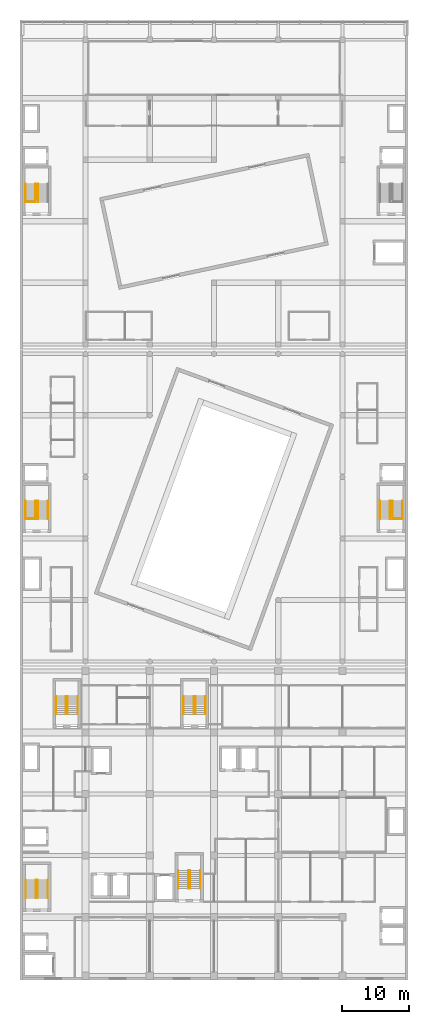
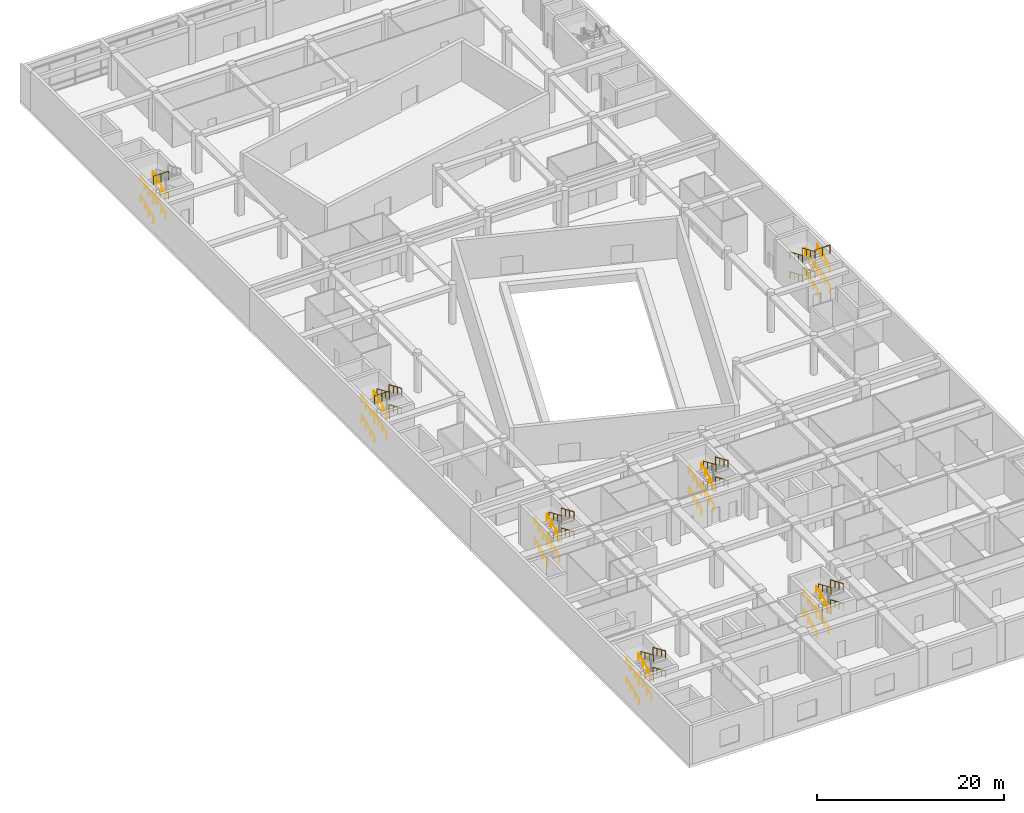
# One storey, part 17 of 31: 56 railings.
"""IFC4 building model written with IfcOpenShell, lengths in metres."""

from ifc_helpers import new_model, si_unit, direction, frame, origin, origin_2d, place, context, subcontext, project, spatial, circle, extrude, material, type_object, element, save


model = new_model("IFC4")

# Units and contexts
model_context = context("Model", 3, precision=1e-05, world=origin(), true_north=direction((0.0, 1.0)))
body_context = subcontext(model_context, "Body", "Model", "MODEL_VIEW")
ifc_project = project(units=[si_unit("LENGTHUNIT", "METRE"), si_unit("AREAUNIT", "SQUARE_METRE"), si_unit("VOLUMEUNIT", "CUBIC_METRE"), si_unit("PLANEANGLEUNIT", "RADIAN"), si_unit("MASSUNIT", "GRAM", prefix="KILO")], contexts=[model_context])

# Site, building, storey
site_placement = place(None, origin())
site = spatial("IfcSite", under=ifc_project, at=site_placement, CompositionType="ELEMENT")
building_placement = place(site_placement, origin())
building = spatial("IfcBuilding", under=site, at=building_placement, Name="Nzadi Deep Aquarium and Research Tower", CompositionType="ELEMENT")
storey_placement = place(building_placement, frame((0.0, 0.0, 26.699951171875)))
storey = spatial("IfcBuildingStorey", under=building, at=storey_placement, Name="L04", CompositionType="ELEMENT", Elevation=26.699951171875)

# Railings
ifc_material_1 = material(Name="Stainless steel 1.4301", Category="steel")
railing_type_1 = type_object("IfcRailingType", Name="GUARD 1100", PredefinedType="GUARDRAIL", material=ifc_material_1)
railing_1_placement = place(storey_placement, frame((0.610107421875, 68.7099609375, 5.199951171875)))
element("IfcRailing", 1, at=railing_1_placement, inside=storey, type_object=railing_type_1, Name="GR-ST-Z2-W-L04-TOP", PredefinedType="GUARDRAIL", context=body_context, shape_type="SweptSolid", body=[
    extrude(circle(Radius=0.02392578125, at=origin_2d()), frame((0.0, 0.0, 1.076171875), z_axis=(1.0, 0.0, 0.0), x_axis=(0.0, 1.0, 0.0)), (0.0, 0.0, 1.0), 1.875),
    extrude(circle(Radius=0.02099609375, at=origin_2d()), origin(), (0.0, 0.0, 1.0), 1.052001953125),
    extrude(circle(Radius=0.02099609375, at=origin_2d()), frame((0.9375, 0.0, 0.0)), (0.0, 0.0, 1.0), 1.052001953125),
    extrude(circle(Radius=0.02099609375, at=origin_2d()), frame((1.875, 0.0, 0.0)), (0.0, 0.0, 1.0), 1.052001953125),
])
railing_2_placement = place(storey_placement, frame((56.989990234375, 68.7099609375, 5.199951171875)))
element("IfcRailing", 2, at=railing_2_placement, inside=storey, type_object=railing_type_1, Name="GR-ST-Z2-E-L04-TOP", PredefinedType="GUARDRAIL", context=body_context, shape_type="SweptSolid", body=[
    extrude(circle(Radius=0.02392578125, at=origin_2d()), frame((0.0, 0.0, 1.076171875), z_axis=(-1.0, 0.0, 0.0), x_axis=(0.0, -1.0, 0.0)), (0.0, 0.0, 1.0), 1.875),
    extrude(circle(Radius=0.02099609375, at=origin_2d()), origin(), (0.0, 0.0, 1.0), 1.052001953125),
    extrude(circle(Radius=0.02099609375, at=origin_2d()), frame((-0.9375, 0.0, 0.0)), (0.0, 0.0, 1.0), 1.052001953125),
    extrude(circle(Radius=0.02099609375, at=origin_2d()), frame((-1.875, 0.0, 0.0)), (0.0, 0.0, 1.0), 1.052001953125),
])
railing_3_placement = place(storey_placement, frame((0.610107421875, 116.110107421875, 5.199951171875)))
element("IfcRailing", 3, at=railing_3_placement, inside=storey, type_object=railing_type_1, Name="GR-ST-Z3-W-L04-TOP", PredefinedType="GUARDRAIL", context=body_context, shape_type="SweptSolid", body=[
    extrude(circle(Radius=0.02392578125, at=origin_2d()), frame((0.0, 0.0, 1.076171875), z_axis=(1.0, 0.0, 0.0), x_axis=(0.0, 1.0, 0.0)), (0.0, 0.0, 1.0), 1.875),
    extrude(circle(Radius=0.02099609375, at=origin_2d()), origin(), (0.0, 0.0, 1.0), 1.052001953125),
    extrude(circle(Radius=0.02099609375, at=origin_2d()), frame((0.9375, 0.0, 0.0)), (0.0, 0.0, 1.0), 1.052001953125),
    extrude(circle(Radius=0.02099609375, at=origin_2d()), frame((1.875, 0.0, 0.0)), (0.0, 0.0, 1.0), 1.052001953125),
])
ifc_material_2 = material(Name="Stainless steel 1.4301", Category="steel")
railing_type_2 = type_object("IfcRailingType", Name="HANDRAIL 900", PredefinedType="HANDRAIL", material=ifc_material_2)
for number, where, name in (
    (4, (0.659912109375, 12.070068359375, 0.130126953125), "HR-ST-Z1-SW-L04-F1"),
    (5, (2.1650390625, 12.070068359375, 0.130126953125), "HR-ST-Z1-SW-L04-F1W"),
):
    element("IfcRailing", number, at=place(storey_placement, frame(where)), inside=storey, type_object=railing_type_2, Name=name, PredefinedType="HANDRAIL", context=body_context, shape_type="SweptSolid", body=[
        extrude(circle(Radius=0.02392578125, at=origin_2d()), frame((0.0, 0.0, 0.8759765625), z_axis=(0.0, 0.917562688074, 0.397591138552), x_axis=(-1.0, 0.0, 0.0)), (0.0, 0.0, 1.0), 2.942626953125),
        extrude(circle(Radius=0.02099609375, at=origin_2d()), origin(), (0.0, 0.0, 1.0), 0.851806640625),
        extrude(circle(Radius=0.02099609375, at=origin_2d()), frame((0.0, 0.89990234375, 0.389892578125)), (0.0, 0.0, 1.0), 0.851806640625),
        extrude(circle(Radius=0.02099609375, at=origin_2d()), frame((0.0, 1.800048828125, 0.780029296875)), (0.0, 0.0, 1.0), 0.851806640625),
        extrude(circle(Radius=0.02099609375, at=origin_2d()), frame((0.0, 2.699951171875, 1.169921875)), (0.0, 0.0, 1.0), 0.851806640625),
    ])
for number, where, name in (
    (6, (3.93994140625, 14.77001953125, 1.429931640625), "HR-ST-Z1-SW-L04-F2"),
    (7, (2.43505859375, 14.77001953125, 1.429931640625), "HR-ST-Z1-SW-L04-F2W"),
):
    element("IfcRailing", number, at=place(storey_placement, frame(where)), inside=storey, type_object=railing_type_2, Name=name, PredefinedType="HANDRAIL", context=body_context, shape_type="SweptSolid", body=[
        extrude(circle(Radius=0.02392578125, at=origin_2d()), frame((0.0, 0.0, 0.8759765625), z_axis=(0.0, -0.917532417814, 0.397660989111), x_axis=(1.0, 0.0, 0.0)), (0.0, 0.0, 1.0), 2.942626953125),
        extrude(circle(Radius=0.02099609375, at=origin_2d()), origin(), (0.0, 0.0, 1.0), 0.851806640625),
        extrude(circle(Radius=0.02099609375, at=origin_2d()), frame((0.0, -0.89990234375, 0.39013671875)), (0.0, 0.0, 1.0), 0.851806640625),
        extrude(circle(Radius=0.02099609375, at=origin_2d()), frame((0.0, -1.800048828125, 0.780029296875)), (0.0, 0.0, 1.0), 0.851806640625),
        extrude(circle(Radius=0.02099609375, at=origin_2d()), frame((0.0, -2.699951171875, 1.170166015625)), (0.0, 0.0, 1.0), 0.851806640625),
    ])
for number, where, name in (
    (8, (0.659912109375, 12.070068359375, 2.72998046875), "HR-ST-Z1-SW-L04-F3"),
    (9, (2.1650390625, 12.070068359375, 2.72998046875), "HR-ST-Z1-SW-L04-F3W"),
):
    element("IfcRailing", number, at=place(storey_placement, frame(where)), inside=storey, type_object=railing_type_2, Name=name, PredefinedType="HANDRAIL", context=body_context, shape_type="SweptSolid", body=[
        extrude(circle(Radius=0.02392578125, at=origin_2d()), frame((0.0, 0.0, 0.8759765625), z_axis=(0.0, 0.917532417814, 0.397660989111), x_axis=(-1.0, 0.0, 0.0)), (0.0, 0.0, 1.0), 2.942626953125),
        extrude(circle(Radius=0.02099609375, at=origin_2d()), origin(), (0.0, 0.0, 1.0), 0.851806640625),
        extrude(circle(Radius=0.02099609375, at=origin_2d()), frame((0.0, 0.89990234375, 0.39013671875)), (0.0, 0.0, 1.0), 0.851806640625),
        extrude(circle(Radius=0.02099609375, at=origin_2d()), frame((0.0, 1.800048828125, 0.780029296875)), (0.0, 0.0, 1.0), 0.851806640625),
        extrude(circle(Radius=0.02099609375, at=origin_2d()), frame((0.0, 2.699951171875, 1.170166015625)), (0.0, 0.0, 1.0), 0.851806640625),
    ])
for number, where, name in (
    (10, (3.93994140625, 14.77001953125, 4.030029296875), "HR-ST-Z1-SW-L04-F4"),
    (11, (2.43505859375, 14.77001953125, 4.030029296875), "HR-ST-Z1-SW-L04-F4W"),
):
    element("IfcRailing", number, at=place(storey_placement, frame(where)), inside=storey, type_object=railing_type_2, Name=name, PredefinedType="HANDRAIL", context=body_context, shape_type="SweptSolid", body=[
        extrude(circle(Radius=0.02392578125, at=origin_2d()), frame((0.0, 0.0, 0.8759765625), z_axis=(0.0, -0.917562688074, 0.397591138552), x_axis=(1.0, 0.0, 0.0)), (0.0, 0.0, 1.0), 2.942626953125),
        extrude(circle(Radius=0.02099609375, at=origin_2d()), origin(), (0.0, 0.0, 1.0), 0.851806640625),
        extrude(circle(Radius=0.02099609375, at=origin_2d()), frame((0.0, -0.89990234375, 0.389892578125)), (0.0, 0.0, 1.0), 0.851806640625),
        extrude(circle(Radius=0.02099609375, at=origin_2d()), frame((0.0, -1.800048828125, 0.780029296875)), (0.0, 0.0, 1.0), 0.851806640625),
        extrude(circle(Radius=0.02099609375, at=origin_2d()), frame((0.0, -2.699951171875, 1.169921875)), (0.0, 0.0, 1.0), 0.851806640625),
    ])
for number, where, name in (
    (12, (23.4599609375, 13.469970703125, 0.130126953125), "HR-ST-Z1-SE-L04-F1"),
    (13, (24.965087890625, 13.469970703125, 0.130126953125), "HR-ST-Z1-SE-L04-F1W"),
):
    element("IfcRailing", number, at=place(storey_placement, frame(where)), inside=storey, type_object=railing_type_2, Name=name, PredefinedType="HANDRAIL", context=body_context, shape_type="SweptSolid", body=[
        extrude(circle(Radius=0.02392578125, at=origin_2d()), frame((0.0, 0.0, 0.8759765625), z_axis=(0.0, 0.917562688074, 0.397591138552), x_axis=(-1.0, 0.0, 0.0)), (0.0, 0.0, 1.0), 2.942626953125),
        extrude(circle(Radius=0.02099609375, at=origin_2d()), origin(), (0.0, 0.0, 1.0), 0.851806640625),
        extrude(circle(Radius=0.02099609375, at=origin_2d()), frame((0.0, 0.89990234375, 0.389892578125)), (0.0, 0.0, 1.0), 0.851806640625),
        extrude(circle(Radius=0.02099609375, at=origin_2d()), frame((0.0, 1.800048828125, 0.780029296875)), (0.0, 0.0, 1.0), 0.851806640625),
        extrude(circle(Radius=0.02099609375, at=origin_2d()), frame((0.0, 2.699951171875, 1.169921875)), (0.0, 0.0, 1.0), 0.851806640625),
    ])
for number, where, name in (
    (14, (26.739990234375, 16.169921875, 1.429931640625), "HR-ST-Z1-SE-L04-F2"),
    (15, (25.235107421875, 16.169921875, 1.429931640625), "HR-ST-Z1-SE-L04-F2W"),
):
    element("IfcRailing", number, at=place(storey_placement, frame(where)), inside=storey, type_object=railing_type_2, Name=name, PredefinedType="HANDRAIL", context=body_context, shape_type="SweptSolid", body=[
        extrude(circle(Radius=0.02392578125, at=origin_2d()), frame((0.0, 0.0, 0.8759765625), z_axis=(0.0, -0.917532417814, 0.397660989111), x_axis=(1.0, 0.0, 0.0)), (0.0, 0.0, 1.0), 2.942626953125),
        extrude(circle(Radius=0.02099609375, at=origin_2d()), origin(), (0.0, 0.0, 1.0), 0.851806640625),
        extrude(circle(Radius=0.02099609375, at=origin_2d()), frame((0.0, -0.89990234375, 0.39013671875)), (0.0, 0.0, 1.0), 0.851806640625),
        extrude(circle(Radius=0.02099609375, at=origin_2d()), frame((0.0, -1.800048828125, 0.780029296875)), (0.0, 0.0, 1.0), 0.851806640625),
        extrude(circle(Radius=0.02099609375, at=origin_2d()), frame((0.0, -2.699951171875, 1.170166015625)), (0.0, 0.0, 1.0), 0.851806640625),
    ])
for number, where, name in (
    (16, (23.4599609375, 13.469970703125, 2.72998046875), "HR-ST-Z1-SE-L04-F3"),
    (17, (24.965087890625, 13.469970703125, 2.72998046875), "HR-ST-Z1-SE-L04-F3W"),
):
    element("IfcRailing", number, at=place(storey_placement, frame(where)), inside=storey, type_object=railing_type_2, Name=name, PredefinedType="HANDRAIL", context=body_context, shape_type="SweptSolid", body=[
        extrude(circle(Radius=0.02392578125, at=origin_2d()), frame((0.0, 0.0, 0.8759765625), z_axis=(0.0, 0.917532417814, 0.397660989111), x_axis=(-1.0, 0.0, 0.0)), (0.0, 0.0, 1.0), 2.942626953125),
        extrude(circle(Radius=0.02099609375, at=origin_2d()), origin(), (0.0, 0.0, 1.0), 0.851806640625),
        extrude(circle(Radius=0.02099609375, at=origin_2d()), frame((0.0, 0.89990234375, 0.39013671875)), (0.0, 0.0, 1.0), 0.851806640625),
        extrude(circle(Radius=0.02099609375, at=origin_2d()), frame((0.0, 1.800048828125, 0.780029296875)), (0.0, 0.0, 1.0), 0.851806640625),
        extrude(circle(Radius=0.02099609375, at=origin_2d()), frame((0.0, 2.699951171875, 1.170166015625)), (0.0, 0.0, 1.0), 0.851806640625),
    ])
for number, where, name in (
    (18, (26.739990234375, 16.169921875, 4.030029296875), "HR-ST-Z1-SE-L04-F4"),
    (19, (25.235107421875, 16.169921875, 4.030029296875), "HR-ST-Z1-SE-L04-F4W"),
):
    element("IfcRailing", number, at=place(storey_placement, frame(where)), inside=storey, type_object=railing_type_2, Name=name, PredefinedType="HANDRAIL", context=body_context, shape_type="SweptSolid", body=[
        extrude(circle(Radius=0.02392578125, at=origin_2d()), frame((0.0, 0.0, 0.8759765625), z_axis=(0.0, -0.917562688074, 0.397591138552), x_axis=(1.0, 0.0, 0.0)), (0.0, 0.0, 1.0), 2.942626953125),
        extrude(circle(Radius=0.02099609375, at=origin_2d()), origin(), (0.0, 0.0, 1.0), 0.851806640625),
        extrude(circle(Radius=0.02099609375, at=origin_2d()), frame((0.0, -0.89990234375, 0.389892578125)), (0.0, 0.0, 1.0), 0.851806640625),
        extrude(circle(Radius=0.02099609375, at=origin_2d()), frame((0.0, -1.800048828125, 0.780029296875)), (0.0, 0.0, 1.0), 0.851806640625),
        extrude(circle(Radius=0.02099609375, at=origin_2d()), frame((0.0, -2.699951171875, 1.169921875)), (0.0, 0.0, 1.0), 0.851806640625),
    ])
for number, where, name in (
    (20, (5.159912109375, 39.52001953125, 0.130126953125), "HR-ST-Z1-NW-L04-F1"),
    (21, (6.6650390625, 39.52001953125, 0.130126953125), "HR-ST-Z1-NW-L04-F1W"),
):
    element("IfcRailing", number, at=place(storey_placement, frame(where)), inside=storey, type_object=railing_type_2, Name=name, PredefinedType="HANDRAIL", context=body_context, shape_type="SweptSolid", body=[
        extrude(circle(Radius=0.02392578125, at=origin_2d()), frame((0.0, 0.0, 0.8759765625), z_axis=(0.0, 0.917562688074, 0.397591138552), x_axis=(-1.0, 0.0, 0.0)), (0.0, 0.0, 1.0), 2.942626953125),
        extrude(circle(Radius=0.02099609375, at=origin_2d()), origin(), (0.0, 0.0, 1.0), 0.851806640625),
        extrude(circle(Radius=0.02099609375, at=origin_2d()), frame((0.0, 0.89990234375, 0.389892578125)), (0.0, 0.0, 1.0), 0.851806640625),
        extrude(circle(Radius=0.02099609375, at=origin_2d()), frame((0.0, 1.800048828125, 0.780029296875)), (0.0, 0.0, 1.0), 0.851806640625),
        extrude(circle(Radius=0.02099609375, at=origin_2d()), frame((0.0, 2.699951171875, 1.169921875)), (0.0, 0.0, 1.0), 0.851806640625),
    ])
for number, where, name in (
    (22, (8.43994140625, 42.219970703125, 1.429931640625), "HR-ST-Z1-NW-L04-F2"),
    (23, (6.93505859375, 42.219970703125, 1.429931640625), "HR-ST-Z1-NW-L04-F2W"),
):
    element("IfcRailing", number, at=place(storey_placement, frame(where)), inside=storey, type_object=railing_type_2, Name=name, PredefinedType="HANDRAIL", context=body_context, shape_type="SweptSolid", body=[
        extrude(circle(Radius=0.02392578125, at=origin_2d()), frame((0.0, 0.0, 0.8759765625), z_axis=(0.0, -0.917532417814, 0.397660989111), x_axis=(1.0, 0.0, 0.0)), (0.0, 0.0, 1.0), 2.942626953125),
        extrude(circle(Radius=0.02099609375, at=origin_2d()), origin(), (0.0, 0.0, 1.0), 0.851806640625),
        extrude(circle(Radius=0.02099609375, at=origin_2d()), frame((0.0, -0.89990234375, 0.39013671875)), (0.0, 0.0, 1.0), 0.851806640625),
        extrude(circle(Radius=0.02099609375, at=origin_2d()), frame((0.0, -1.800048828125, 0.780029296875)), (0.0, 0.0, 1.0), 0.851806640625),
        extrude(circle(Radius=0.02099609375, at=origin_2d()), frame((0.0, -2.699951171875, 1.170166015625)), (0.0, 0.0, 1.0), 0.851806640625),
    ])
for number, where, name in (
    (24, (5.159912109375, 39.52001953125, 2.72998046875), "HR-ST-Z1-NW-L04-F3"),
    (25, (6.6650390625, 39.52001953125, 2.72998046875), "HR-ST-Z1-NW-L04-F3W"),
):
    element("IfcRailing", number, at=place(storey_placement, frame(where)), inside=storey, type_object=railing_type_2, Name=name, PredefinedType="HANDRAIL", context=body_context, shape_type="SweptSolid", body=[
        extrude(circle(Radius=0.02392578125, at=origin_2d()), frame((0.0, 0.0, 0.8759765625), z_axis=(0.0, 0.917532417814, 0.397660989111), x_axis=(-1.0, 0.0, 0.0)), (0.0, 0.0, 1.0), 2.942626953125),
        extrude(circle(Radius=0.02099609375, at=origin_2d()), origin(), (0.0, 0.0, 1.0), 0.851806640625),
        extrude(circle(Radius=0.02099609375, at=origin_2d()), frame((0.0, 0.89990234375, 0.39013671875)), (0.0, 0.0, 1.0), 0.851806640625),
        extrude(circle(Radius=0.02099609375, at=origin_2d()), frame((0.0, 1.800048828125, 0.780029296875)), (0.0, 0.0, 1.0), 0.851806640625),
        extrude(circle(Radius=0.02099609375, at=origin_2d()), frame((0.0, 2.699951171875, 1.170166015625)), (0.0, 0.0, 1.0), 0.851806640625),
    ])
for number, where, name in (
    (26, (8.43994140625, 42.219970703125, 4.030029296875), "HR-ST-Z1-NW-L04-F4"),
    (27, (6.93505859375, 42.219970703125, 4.030029296875), "HR-ST-Z1-NW-L04-F4W"),
):
    element("IfcRailing", number, at=place(storey_placement, frame(where)), inside=storey, type_object=railing_type_2, Name=name, PredefinedType="HANDRAIL", context=body_context, shape_type="SweptSolid", body=[
        extrude(circle(Radius=0.02392578125, at=origin_2d()), frame((0.0, 0.0, 0.8759765625), z_axis=(0.0, -0.917562688074, 0.397591138552), x_axis=(1.0, 0.0, 0.0)), (0.0, 0.0, 1.0), 2.942626953125),
        extrude(circle(Radius=0.02099609375, at=origin_2d()), origin(), (0.0, 0.0, 1.0), 0.851806640625),
        extrude(circle(Radius=0.02099609375, at=origin_2d()), frame((0.0, -0.89990234375, 0.389892578125)), (0.0, 0.0, 1.0), 0.851806640625),
        extrude(circle(Radius=0.02099609375, at=origin_2d()), frame((0.0, -1.800048828125, 0.780029296875)), (0.0, 0.0, 1.0), 0.851806640625),
        extrude(circle(Radius=0.02099609375, at=origin_2d()), frame((0.0, -2.699951171875, 1.169921875)), (0.0, 0.0, 1.0), 0.851806640625),
    ])
for number, where, name in (
    (28, (24.260009765625, 39.52001953125, 0.130126953125), "HR-ST-Z1-NE-L04-F1"),
    (29, (25.764892578125, 39.52001953125, 0.130126953125), "HR-ST-Z1-NE-L04-F1W"),
):
    element("IfcRailing", number, at=place(storey_placement, frame(where)), inside=storey, type_object=railing_type_2, Name=name, PredefinedType="HANDRAIL", context=body_context, shape_type="SweptSolid", body=[
        extrude(circle(Radius=0.02392578125, at=origin_2d()), frame((0.0, 0.0, 0.8759765625), z_axis=(0.0, 0.917562688074, 0.397591138552), x_axis=(-1.0, 0.0, 0.0)), (0.0, 0.0, 1.0), 2.942626953125),
        extrude(circle(Radius=0.02099609375, at=origin_2d()), origin(), (0.0, 0.0, 1.0), 0.851806640625),
        extrude(circle(Radius=0.02099609375, at=origin_2d()), frame((0.0, 0.89990234375, 0.389892578125)), (0.0, 0.0, 1.0), 0.851806640625),
        extrude(circle(Radius=0.02099609375, at=origin_2d()), frame((0.0, 1.800048828125, 0.780029296875)), (0.0, 0.0, 1.0), 0.851806640625),
        extrude(circle(Radius=0.02099609375, at=origin_2d()), frame((0.0, 2.699951171875, 1.169921875)), (0.0, 0.0, 1.0), 0.851806640625),
    ])
for number, where, name in (
    (30, (27.5400390625, 42.219970703125, 1.429931640625), "HR-ST-Z1-NE-L04-F2"),
    (31, (26.034912109375, 42.219970703125, 1.429931640625), "HR-ST-Z1-NE-L04-F2W"),
):
    element("IfcRailing", number, at=place(storey_placement, frame(where)), inside=storey, type_object=railing_type_2, Name=name, PredefinedType="HANDRAIL", context=body_context, shape_type="SweptSolid", body=[
        extrude(circle(Radius=0.02392578125, at=origin_2d()), frame((0.0, 0.0, 0.8759765625), z_axis=(0.0, -0.917532417814, 0.397660989111), x_axis=(1.0, 0.0, 0.0)), (0.0, 0.0, 1.0), 2.942626953125),
        extrude(circle(Radius=0.02099609375, at=origin_2d()), origin(), (0.0, 0.0, 1.0), 0.851806640625),
        extrude(circle(Radius=0.02099609375, at=origin_2d()), frame((0.0, -0.89990234375, 0.39013671875)), (0.0, 0.0, 1.0), 0.851806640625),
        extrude(circle(Radius=0.02099609375, at=origin_2d()), frame((0.0, -1.800048828125, 0.780029296875)), (0.0, 0.0, 1.0), 0.851806640625),
        extrude(circle(Radius=0.02099609375, at=origin_2d()), frame((0.0, -2.699951171875, 1.170166015625)), (0.0, 0.0, 1.0), 0.851806640625),
    ])
for number, where, name in (
    (32, (24.260009765625, 39.52001953125, 2.72998046875), "HR-ST-Z1-NE-L04-F3"),
    (33, (25.764892578125, 39.52001953125, 2.72998046875), "HR-ST-Z1-NE-L04-F3W"),
):
    element("IfcRailing", number, at=place(storey_placement, frame(where)), inside=storey, type_object=railing_type_2, Name=name, PredefinedType="HANDRAIL", context=body_context, shape_type="SweptSolid", body=[
        extrude(circle(Radius=0.02392578125, at=origin_2d()), frame((0.0, 0.0, 0.8759765625), z_axis=(0.0, 0.917532417814, 0.397660989111), x_axis=(-1.0, 0.0, 0.0)), (0.0, 0.0, 1.0), 2.942626953125),
        extrude(circle(Radius=0.02099609375, at=origin_2d()), origin(), (0.0, 0.0, 1.0), 0.851806640625),
        extrude(circle(Radius=0.02099609375, at=origin_2d()), frame((0.0, 0.89990234375, 0.39013671875)), (0.0, 0.0, 1.0), 0.851806640625),
        extrude(circle(Radius=0.02099609375, at=origin_2d()), frame((0.0, 1.800048828125, 0.780029296875)), (0.0, 0.0, 1.0), 0.851806640625),
        extrude(circle(Radius=0.02099609375, at=origin_2d()), frame((0.0, 2.699951171875, 1.170166015625)), (0.0, 0.0, 1.0), 0.851806640625),
    ])
for number, where, name in (
    (34, (27.5400390625, 42.219970703125, 4.030029296875), "HR-ST-Z1-NE-L04-F4"),
    (35, (26.034912109375, 42.219970703125, 4.030029296875), "HR-ST-Z1-NE-L04-F4W"),
):
    element("IfcRailing", number, at=place(storey_placement, frame(where)), inside=storey, type_object=railing_type_2, Name=name, PredefinedType="HANDRAIL", context=body_context, shape_type="SweptSolid", body=[
        extrude(circle(Radius=0.02392578125, at=origin_2d()), frame((0.0, 0.0, 0.8759765625), z_axis=(0.0, -0.917562688074, 0.397591138552), x_axis=(1.0, 0.0, 0.0)), (0.0, 0.0, 1.0), 2.942626953125),
        extrude(circle(Radius=0.02099609375, at=origin_2d()), origin(), (0.0, 0.0, 1.0), 0.851806640625),
        extrude(circle(Radius=0.02099609375, at=origin_2d()), frame((0.0, -0.89990234375, 0.389892578125)), (0.0, 0.0, 1.0), 0.851806640625),
        extrude(circle(Radius=0.02099609375, at=origin_2d()), frame((0.0, -1.800048828125, 0.780029296875)), (0.0, 0.0, 1.0), 0.851806640625),
        extrude(circle(Radius=0.02099609375, at=origin_2d()), frame((0.0, -2.699951171875, 1.169921875)), (0.0, 0.0, 1.0), 0.851806640625),
    ])
for number, where, name in (
    (36, (0.610107421875, 68.7099609375, 0.130126953125), "HR-ST-Z2-W-L04-F1"),
    (37, (2.114990234375, 68.7099609375, 0.130126953125), "HR-ST-Z2-W-L04-F1W"),
):
    element("IfcRailing", number, at=place(storey_placement, frame(where)), inside=storey, type_object=railing_type_2, Name=name, PredefinedType="HANDRAIL", context=body_context, shape_type="SweptSolid", body=[
        extrude(circle(Radius=0.02392578125, at=origin_2d()), frame((0.0, 0.0, 0.8759765625), z_axis=(0.0, 0.917562688074, 0.397591138552), x_axis=(-1.0, 0.0, 0.0)), (0.0, 0.0, 1.0), 2.942626953125),
        extrude(circle(Radius=0.02099609375, at=origin_2d()), origin(), (0.0, 0.0, 1.0), 0.851806640625),
        extrude(circle(Radius=0.02099609375, at=origin_2d()), frame((0.0, 0.89990234375, 0.389892578125)), (0.0, 0.0, 1.0), 0.851806640625),
        extrude(circle(Radius=0.02099609375, at=origin_2d()), frame((0.0, 1.800048828125, 0.780029296875)), (0.0, 0.0, 1.0), 0.851806640625),
        extrude(circle(Radius=0.02099609375, at=origin_2d()), frame((0.0, 2.699951171875, 1.169921875)), (0.0, 0.0, 1.0), 0.851806640625),
    ])
for number, where, name in (
    (38, (3.989990234375, 71.409912109375, 1.429931640625), "HR-ST-Z2-W-L04-F2"),
    (39, (2.485107421875, 71.409912109375, 1.429931640625), "HR-ST-Z2-W-L04-F2W"),
):
    element("IfcRailing", number, at=place(storey_placement, frame(where)), inside=storey, type_object=railing_type_2, Name=name, PredefinedType="HANDRAIL", context=body_context, shape_type="SweptSolid", body=[
        extrude(circle(Radius=0.02392578125, at=origin_2d()), frame((0.0, 0.0, 0.8759765625), z_axis=(0.0, -0.917532417814, 0.397660989111), x_axis=(1.0, 0.0, 0.0)), (0.0, 0.0, 1.0), 2.942626953125),
        extrude(circle(Radius=0.02099609375, at=origin_2d()), origin(), (0.0, 0.0, 1.0), 0.851806640625),
        extrude(circle(Radius=0.02099609375, at=origin_2d()), frame((0.0, -0.89990234375, 0.39013671875)), (0.0, 0.0, 1.0), 0.851806640625),
        extrude(circle(Radius=0.02099609375, at=origin_2d()), frame((0.0, -1.800048828125, 0.780029296875)), (0.0, 0.0, 1.0), 0.851806640625),
        extrude(circle(Radius=0.02099609375, at=origin_2d()), frame((0.0, -2.699951171875, 1.170166015625)), (0.0, 0.0, 1.0), 0.851806640625),
    ])
for number, where, name in (
    (40, (0.610107421875, 68.7099609375, 2.72998046875), "HR-ST-Z2-W-L04-F3"),
    (41, (2.114990234375, 68.7099609375, 2.72998046875), "HR-ST-Z2-W-L04-F3W"),
):
    element("IfcRailing", number, at=place(storey_placement, frame(where)), inside=storey, type_object=railing_type_2, Name=name, PredefinedType="HANDRAIL", context=body_context, shape_type="SweptSolid", body=[
        extrude(circle(Radius=0.02392578125, at=origin_2d()), frame((0.0, 0.0, 0.8759765625), z_axis=(0.0, 0.917532417814, 0.397660989111), x_axis=(-1.0, 0.0, 0.0)), (0.0, 0.0, 1.0), 2.942626953125),
        extrude(circle(Radius=0.02099609375, at=origin_2d()), origin(), (0.0, 0.0, 1.0), 0.851806640625),
        extrude(circle(Radius=0.02099609375, at=origin_2d()), frame((0.0, 0.89990234375, 0.39013671875)), (0.0, 0.0, 1.0), 0.851806640625),
        extrude(circle(Radius=0.02099609375, at=origin_2d()), frame((0.0, 1.800048828125, 0.780029296875)), (0.0, 0.0, 1.0), 0.851806640625),
        extrude(circle(Radius=0.02099609375, at=origin_2d()), frame((0.0, 2.699951171875, 1.170166015625)), (0.0, 0.0, 1.0), 0.851806640625),
    ])
for number, where, name in (
    (42, (3.989990234375, 71.409912109375, 4.030029296875), "HR-ST-Z2-W-L04-F4"),
    (43, (2.485107421875, 71.409912109375, 4.030029296875), "HR-ST-Z2-W-L04-F4W"),
):
    element("IfcRailing", number, at=place(storey_placement, frame(where)), inside=storey, type_object=railing_type_2, Name=name, PredefinedType="HANDRAIL", context=body_context, shape_type="SweptSolid", body=[
        extrude(circle(Radius=0.02392578125, at=origin_2d()), frame((0.0, 0.0, 0.8759765625), z_axis=(0.0, -0.917562688074, 0.397591138552), x_axis=(1.0, 0.0, 0.0)), (0.0, 0.0, 1.0), 2.942626953125),
        extrude(circle(Radius=0.02099609375, at=origin_2d()), origin(), (0.0, 0.0, 1.0), 0.851806640625),
        extrude(circle(Radius=0.02099609375, at=origin_2d()), frame((0.0, -0.89990234375, 0.389892578125)), (0.0, 0.0, 1.0), 0.851806640625),
        extrude(circle(Radius=0.02099609375, at=origin_2d()), frame((0.0, -1.800048828125, 0.780029296875)), (0.0, 0.0, 1.0), 0.851806640625),
        extrude(circle(Radius=0.02099609375, at=origin_2d()), frame((0.0, -2.699951171875, 1.169921875)), (0.0, 0.0, 1.0), 0.851806640625),
    ])
for number, where, name in (
    (44, (56.989990234375, 68.7099609375, 0.130126953125), "HR-ST-Z2-E-L04-F1"),
    (45, (55.485107421875, 68.7099609375, 0.130126953125), "HR-ST-Z2-E-L04-F1W"),
):
    element("IfcRailing", number, at=place(storey_placement, frame(where)), inside=storey, type_object=railing_type_2, Name=name, PredefinedType="HANDRAIL", context=body_context, shape_type="SweptSolid", body=[
        extrude(circle(Radius=0.02392578125, at=origin_2d()), frame((0.0, 0.0, 0.8759765625), z_axis=(0.0, 0.917562688074, 0.397591138552), x_axis=(-1.0, 0.0, 0.0)), (0.0, 0.0, 1.0), 2.942626953125),
        extrude(circle(Radius=0.02099609375, at=origin_2d()), origin(), (0.0, 0.0, 1.0), 0.851806640625),
        extrude(circle(Radius=0.02099609375, at=origin_2d()), frame((0.0, 0.89990234375, 0.389892578125)), (0.0, 0.0, 1.0), 0.851806640625),
        extrude(circle(Radius=0.02099609375, at=origin_2d()), frame((0.0, 1.800048828125, 0.780029296875)), (0.0, 0.0, 1.0), 0.851806640625),
        extrude(circle(Radius=0.02099609375, at=origin_2d()), frame((0.0, 2.699951171875, 1.169921875)), (0.0, 0.0, 1.0), 0.851806640625),
    ])
for number, where, name in (
    (46, (53.610107421875, 71.409912109375, 1.429931640625), "HR-ST-Z2-E-L04-F2"),
    (47, (55.114990234375, 71.409912109375, 1.429931640625), "HR-ST-Z2-E-L04-F2W"),
):
    element("IfcRailing", number, at=place(storey_placement, frame(where)), inside=storey, type_object=railing_type_2, Name=name, PredefinedType="HANDRAIL", context=body_context, shape_type="SweptSolid", body=[
        extrude(circle(Radius=0.02392578125, at=origin_2d()), frame((0.0, 0.0, 0.8759765625), z_axis=(0.0, -0.917532417814, 0.397660989111), x_axis=(1.0, 0.0, 0.0)), (0.0, 0.0, 1.0), 2.942626953125),
        extrude(circle(Radius=0.02099609375, at=origin_2d()), origin(), (0.0, 0.0, 1.0), 0.851806640625),
        extrude(circle(Radius=0.02099609375, at=origin_2d()), frame((0.0, -0.89990234375, 0.39013671875)), (0.0, 0.0, 1.0), 0.851806640625),
        extrude(circle(Radius=0.02099609375, at=origin_2d()), frame((0.0, -1.800048828125, 0.780029296875)), (0.0, 0.0, 1.0), 0.851806640625),
        extrude(circle(Radius=0.02099609375, at=origin_2d()), frame((0.0, -2.699951171875, 1.170166015625)), (0.0, 0.0, 1.0), 0.851806640625),
    ])
for number, where, name in (
    (48, (56.989990234375, 68.7099609375, 2.72998046875), "HR-ST-Z2-E-L04-F3"),
    (49, (55.485107421875, 68.7099609375, 2.72998046875), "HR-ST-Z2-E-L04-F3W"),
):
    element("IfcRailing", number, at=place(storey_placement, frame(where)), inside=storey, type_object=railing_type_2, Name=name, PredefinedType="HANDRAIL", context=body_context, shape_type="SweptSolid", body=[
        extrude(circle(Radius=0.02392578125, at=origin_2d()), frame((0.0, 0.0, 0.8759765625), z_axis=(0.0, 0.917532417814, 0.397660989111), x_axis=(-1.0, 0.0, 0.0)), (0.0, 0.0, 1.0), 2.942626953125),
        extrude(circle(Radius=0.02099609375, at=origin_2d()), origin(), (0.0, 0.0, 1.0), 0.851806640625),
        extrude(circle(Radius=0.02099609375, at=origin_2d()), frame((0.0, 0.89990234375, 0.39013671875)), (0.0, 0.0, 1.0), 0.851806640625),
        extrude(circle(Radius=0.02099609375, at=origin_2d()), frame((0.0, 1.800048828125, 0.780029296875)), (0.0, 0.0, 1.0), 0.851806640625),
        extrude(circle(Radius=0.02099609375, at=origin_2d()), frame((0.0, 2.699951171875, 1.170166015625)), (0.0, 0.0, 1.0), 0.851806640625),
    ])
for number, where, name in (
    (50, (53.610107421875, 71.409912109375, 4.030029296875), "HR-ST-Z2-E-L04-F4"),
    (51, (55.114990234375, 71.409912109375, 4.030029296875), "HR-ST-Z2-E-L04-F4W"),
):
    element("IfcRailing", number, at=place(storey_placement, frame(where)), inside=storey, type_object=railing_type_2, Name=name, PredefinedType="HANDRAIL", context=body_context, shape_type="SweptSolid", body=[
        extrude(circle(Radius=0.02392578125, at=origin_2d()), frame((0.0, 0.0, 0.8759765625), z_axis=(0.0, -0.917562688074, 0.397591138552), x_axis=(1.0, 0.0, 0.0)), (0.0, 0.0, 1.0), 2.942626953125),
        extrude(circle(Radius=0.02099609375, at=origin_2d()), origin(), (0.0, 0.0, 1.0), 0.851806640625),
        extrude(circle(Radius=0.02099609375, at=origin_2d()), frame((0.0, -0.89990234375, 0.389892578125)), (0.0, 0.0, 1.0), 0.851806640625),
        extrude(circle(Radius=0.02099609375, at=origin_2d()), frame((0.0, -1.800048828125, 0.780029296875)), (0.0, 0.0, 1.0), 0.851806640625),
        extrude(circle(Radius=0.02099609375, at=origin_2d()), frame((0.0, -2.699951171875, 1.169921875)), (0.0, 0.0, 1.0), 0.851806640625),
    ])
for number, where, name in (
    (52, (0.610107421875, 116.110107421875, 0.130126953125), "HR-ST-Z3-W-L04-F1"),
    (53, (2.114990234375, 116.110107421875, 0.130126953125), "HR-ST-Z3-W-L04-F1W"),
):
    element("IfcRailing", number, at=place(storey_placement, frame(where)), inside=storey, type_object=railing_type_2, Name=name, PredefinedType="HANDRAIL", context=body_context, shape_type="SweptSolid", body=[
        extrude(circle(Radius=0.02392578125, at=origin_2d()), frame((0.0, 0.0, 0.8759765625), z_axis=(0.0, 0.917562688074, 0.397591138552), x_axis=(-1.0, 0.0, 0.0)), (0.0, 0.0, 1.0), 2.942626953125),
        extrude(circle(Radius=0.02099609375, at=origin_2d()), origin(), (0.0, 0.0, 1.0), 0.851806640625),
        extrude(circle(Radius=0.02099609375, at=origin_2d()), frame((0.0, 0.89990234375, 0.389892578125)), (0.0, 0.0, 1.0), 0.851806640625),
        extrude(circle(Radius=0.02099609375, at=origin_2d()), frame((0.0, 1.800048828125, 0.780029296875)), (0.0, 0.0, 1.0), 0.851806640625),
        extrude(circle(Radius=0.02099609375, at=origin_2d()), frame((0.0, 2.699951171875, 1.169921875)), (0.0, 0.0, 1.0), 0.851806640625),
    ])
railing_4_placement = place(storey_placement, frame((2.485107421875, 118.81005859375, 1.429931640625)))
element("IfcRailing", 54, at=railing_4_placement, inside=storey, type_object=railing_type_2, Name="HR-ST-Z3-W-L04-F2W", PredefinedType="HANDRAIL", context=body_context, shape_type="SweptSolid", body=[
    extrude(circle(Radius=0.02392578125, at=origin_2d()), frame((0.0, 0.0, 0.8759765625), z_axis=(0.0, -0.917532417814, 0.397660989111), x_axis=(1.0, 0.0, 0.0)), (0.0, 0.0, 1.0), 2.942626953125),
    extrude(circle(Radius=0.02099609375, at=origin_2d()), origin(), (0.0, 0.0, 1.0), 0.851806640625),
    extrude(circle(Radius=0.02099609375, at=origin_2d()), frame((0.0, -0.89990234375, 0.39013671875)), (0.0, 0.0, 1.0), 0.851806640625),
    extrude(circle(Radius=0.02099609375, at=origin_2d()), frame((0.0, -1.800048828125, 0.780029296875)), (0.0, 0.0, 1.0), 0.851806640625),
    extrude(circle(Radius=0.02099609375, at=origin_2d()), frame((0.0, -2.699951171875, 1.170166015625)), (0.0, 0.0, 1.0), 0.851806640625),
])
for number, where, name in (
    (55, (0.610107421875, 116.110107421875, 2.72998046875), "HR-ST-Z3-W-L04-F3"),
    (56, (2.114990234375, 116.110107421875, 2.72998046875), "HR-ST-Z3-W-L04-F3W"),
):
    element("IfcRailing", number, at=place(storey_placement, frame(where)), inside=storey, type_object=railing_type_2, Name=name, PredefinedType="HANDRAIL", context=body_context, shape_type="SweptSolid", body=[
        extrude(circle(Radius=0.02392578125, at=origin_2d()), frame((0.0, 0.0, 0.8759765625), z_axis=(0.0, 0.917532417814, 0.397660989111), x_axis=(-1.0, 0.0, 0.0)), (0.0, 0.0, 1.0), 2.942626953125),
        extrude(circle(Radius=0.02099609375, at=origin_2d()), origin(), (0.0, 0.0, 1.0), 0.851806640625),
        extrude(circle(Radius=0.02099609375, at=origin_2d()), frame((0.0, 0.89990234375, 0.39013671875)), (0.0, 0.0, 1.0), 0.851806640625),
        extrude(circle(Radius=0.02099609375, at=origin_2d()), frame((0.0, 1.800048828125, 0.780029296875)), (0.0, 0.0, 1.0), 0.851806640625),
        extrude(circle(Radius=0.02099609375, at=origin_2d()), frame((0.0, 2.699951171875, 1.170166015625)), (0.0, 0.0, 1.0), 0.851806640625),
    ])

save(model, "model.ifc")
